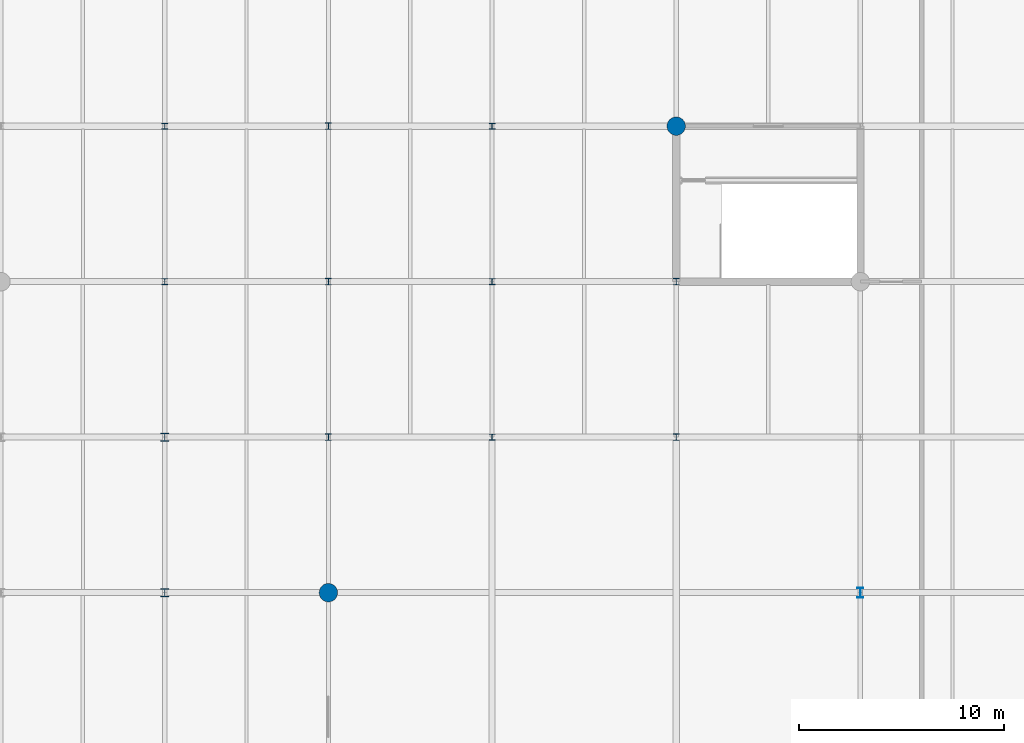
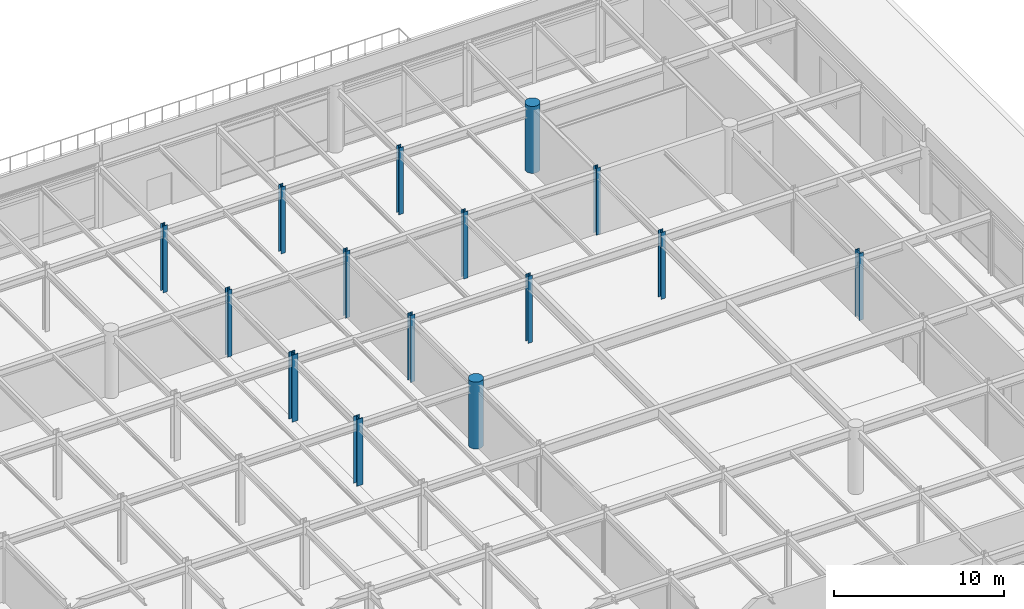
# One storey, part 7 of 43: 15 columns.
"""IFC4 building model written with IfcOpenShell, lengths in metres."""

from ifc_helpers import new_model, si_unit, direction, frame, origin, origin_2d, place, context, subcontext, project, spatial, circle, i_section, extrude, material, material_profile, profile_set, type_object, element, save


model = new_model("IFC4")

# Units and contexts
model_context = context("Model", 3, precision=1e-05, world=origin(), true_north=direction((0.0, 1.0)))
body_context = subcontext(model_context, "Body", "Model", "MODEL_VIEW")
ifc_project = project(units=[si_unit("LENGTHUNIT", "METRE"), si_unit("AREAUNIT", "SQUARE_METRE"), si_unit("VOLUMEUNIT", "CUBIC_METRE"), si_unit("PLANEANGLEUNIT", "RADIAN"), si_unit("MASSUNIT", "GRAM", prefix="KILO")], contexts=[model_context])

# Site, building, storey
site_placement = place(None, origin())
site = spatial("IfcSite", under=ifc_project, at=site_placement, CompositionType="ELEMENT")
building_placement = place(site_placement, origin())
building = spatial("IfcBuilding", under=site, at=building_placement, Name="Shalkamar Park Central Library", CompositionType="ELEMENT")
storey_placement = place(building_placement, frame((0.0, 0.0, 15.60009765625)))
storey = spatial("IfcBuildingStorey", under=building, at=storey_placement, Name="L04", CompositionType="ELEMENT", Elevation=15.60009765625)

# Columns
ifc_material_1 = material(Name="Concrete C40/50", Category="concrete")
ifc_material_profile_1 = material_profile(ifc_material_1, circle(Radius=0.449951171875, at=origin_2d()), Name="RC D900")
ifc_profile_set_1 = profile_set([ifc_material_profile_1], Name="Concrete C40/50")
column_type_1 = type_object("IfcColumnType", Name="Column Concrete RCD900", PredefinedType="COLUMN", material=ifc_profile_set_1)
for number, where, z_axis, x_axis, name in (
    (1, (229.0, 285.60009765625, 0.0), (0.0, 0.0, 1.0), (1.0, 0.0, 0.0), "Column 15/G (L04)"),
    (2, (246.0, 308.39990234375, 0.0), (0.0, 0.0, 1.0), (1.0, 0.0, 0.0), "Column 17/K (L04)"),
):
    element("IfcColumn", number, at=place(storey_placement, frame(where, z_axis=z_axis, x_axis=x_axis)), inside=storey, type_object=column_type_1, Name=name, PredefinedType="COLUMN", context=body_context, shape_type="SweptSolid", body=[
        extrude(circle(Radius=0.449951171875, at=origin_2d()), origin(), (0.0, 0.0, 1.0), 4.7998046875),
    ])
ifc_material_2 = material(Name="Steel S355", Category="steel")
ifc_material_profile_2 = material_profile(ifc_material_2, i_section(OverallWidth=0.406005859375, OverallDepth=0.416015625, WebThickness=0.02978515625, FlangeThickness=0.048095703125, FilletRadius=0.014892578125, at=origin_2d()), Name="HD 400x382")
ifc_profile_set_2 = profile_set([ifc_material_profile_2], Name="Steel S355")
column_type_2 = type_object("IfcColumnType", Name="Column Steel HD400x382", PredefinedType="COLUMN", material=ifc_profile_set_2)
for number, where, z_axis, x_axis, name in (
    (3, (221.0, 285.60009765625, 0.0), (0.0, 0.0, 1.0), (1.0, 0.0, 0.0), "Column 14/G (L04)"),
    (4, (221.0, 293.199951171875, 0.0), (0.0, 0.0, 1.0), (1.0, 0.0, 0.0), "Column 14/H (L04)"),
):
    element("IfcColumn", number, at=place(storey_placement, frame(where, z_axis=z_axis, x_axis=x_axis)), inside=storey, type_object=column_type_2, Name=name, PredefinedType="COLUMN", context=body_context, shape_type="SweptSolid", body=[
        extrude(i_section(OverallWidth=0.406005859375, OverallDepth=0.416015625, WebThickness=0.02978515625, FlangeThickness=0.048095703125, FilletRadius=0.014892578125, at=origin_2d()), origin(), (0.0, 0.0, 1.0), 4.7998046875),
    ])
ifc_material_profile_3 = material_profile(ifc_material_2, i_section(OverallWidth=0.300048828125, OverallDepth=0.300048828125, WebThickness=0.010986328125, FlangeThickness=0.01904296875, FilletRadius=0.027099609375, at=origin_2d()), Name="HEB 300")
ifc_profile_set_3 = profile_set([ifc_material_profile_3], Name="Steel S355")
column_type_3 = type_object("IfcColumnType", Name="Column Steel HEB300", PredefinedType="COLUMN", material=ifc_profile_set_3)
for number, where, z_axis, x_axis, name in (
    (5, (221.0, 300.800048828125, 0.0), (0.0, 0.0, 1.0), (1.0, 0.0, 0.0), "Column 14/J (L04)"),
    (6, (221.0, 308.39990234375, 0.0), (0.0, 0.0, 1.0), (1.0, 0.0, 0.0), "Column 14/K (L04)"),
    (7, (237.0, 293.199951171875, 0.0), (0.0, 0.0, 1.0), (1.0, 0.0, 0.0), "Column 16/H (L04)"),
    (8, (237.0, 300.800048828125, 0.0), (0.0, 0.0, 1.0), (1.0, 0.0, 0.0), "Column 16/J (L04)"),
    (9, (237.0, 308.39990234375, 0.0), (0.0, 0.0, 1.0), (1.0, 0.0, 0.0), "Column 16/K (L04)"),
):
    element("IfcColumn", number, at=place(storey_placement, frame(where, z_axis=z_axis, x_axis=x_axis)), inside=storey, type_object=column_type_3, Name=name, PredefinedType="COLUMN", context=body_context, shape_type="SweptSolid", body=[
        extrude(i_section(OverallWidth=0.300048828125, OverallDepth=0.300048828125, WebThickness=0.010986328125, FlangeThickness=0.01904296875, FilletRadius=0.027099609375, at=origin_2d()), origin(), (0.0, 0.0, 1.0), 4.7998046875),
    ])
ifc_material_profile_4 = material_profile(ifc_material_2, i_section(OverallWidth=0.300048828125, OverallDepth=0.320068359375, WebThickness=0.011474609375, FlangeThickness=0.0205078125, FilletRadius=0.027099609375, at=origin_2d()), Name="HEB 320")
ifc_profile_set_4 = profile_set([ifc_material_profile_4], Name="Steel S355")
column_type_4 = type_object("IfcColumnType", Name="Column Steel HEB320", PredefinedType="COLUMN", material=ifc_profile_set_4)
for number, where, z_axis, x_axis, name in (
    (10, (229.0, 293.199951171875, 0.0), (0.0, 0.0, 1.0), (1.0, 0.0, 0.0), "Column 15/H (L04)"),
    (11, (229.0, 300.800048828125, 0.0), (0.0, 0.0, 1.0), (1.0, 0.0, 0.0), "Column 15/J (L04)"),
    (12, (229.0, 308.39990234375, 0.0), (0.0, 0.0, 1.0), (1.0, 0.0, 0.0), "Column 15/K (L04)"),
    (13, (246.0, 293.199951171875, 0.0), (0.0, 0.0, 1.0), (1.0, 0.0, 0.0), "Column 17/H (L04)"),
    (14, (246.0, 300.800048828125, 0.0), (0.0, 0.0, 1.0), (1.0, 0.0, 0.0), "Column 17/J (L04)"),
):
    element("IfcColumn", number, at=place(storey_placement, frame(where, z_axis=z_axis, x_axis=x_axis)), inside=storey, type_object=column_type_4, Name=name, PredefinedType="COLUMN", context=body_context, shape_type="SweptSolid", body=[
        extrude(i_section(OverallWidth=0.300048828125, OverallDepth=0.320068359375, WebThickness=0.011474609375, FlangeThickness=0.0205078125, FilletRadius=0.027099609375, at=origin_2d()), origin(), (0.0, 0.0, 1.0), 4.7998046875),
    ])
ifc_material_profile_5 = material_profile(ifc_material_2, i_section(OverallWidth=0.300048828125, OverallDepth=0.5, WebThickness=0.014404296875, FlangeThickness=0.028076171875, FilletRadius=0.027099609375, at=origin_2d()), Name="HEB 500")
ifc_profile_set_5 = profile_set([ifc_material_profile_5], Name="Steel S355")
column_type_5 = type_object("IfcColumnType", Name="Column Steel HEB500", PredefinedType="COLUMN", material=ifc_profile_set_5)
column_placement = place(storey_placement, frame((255.0, 285.60009765625, 0.0), z_axis=(0.0, 0.0, 1.0), x_axis=(1.0, 0.0, 0.0)))
element("IfcColumn", 15, at=column_placement, inside=storey, type_object=column_type_5, Name="Column 18/G (L04)", PredefinedType="COLUMN", context=body_context, shape_type="SweptSolid", body=[
    extrude(i_section(OverallWidth=0.300048828125, OverallDepth=0.5, WebThickness=0.014404296875, FlangeThickness=0.028076171875, FilletRadius=0.027099609375, at=origin_2d()), origin(), (0.0, 0.0, 1.0), 4.7998046875),
])

save(model, "model.ifc")
